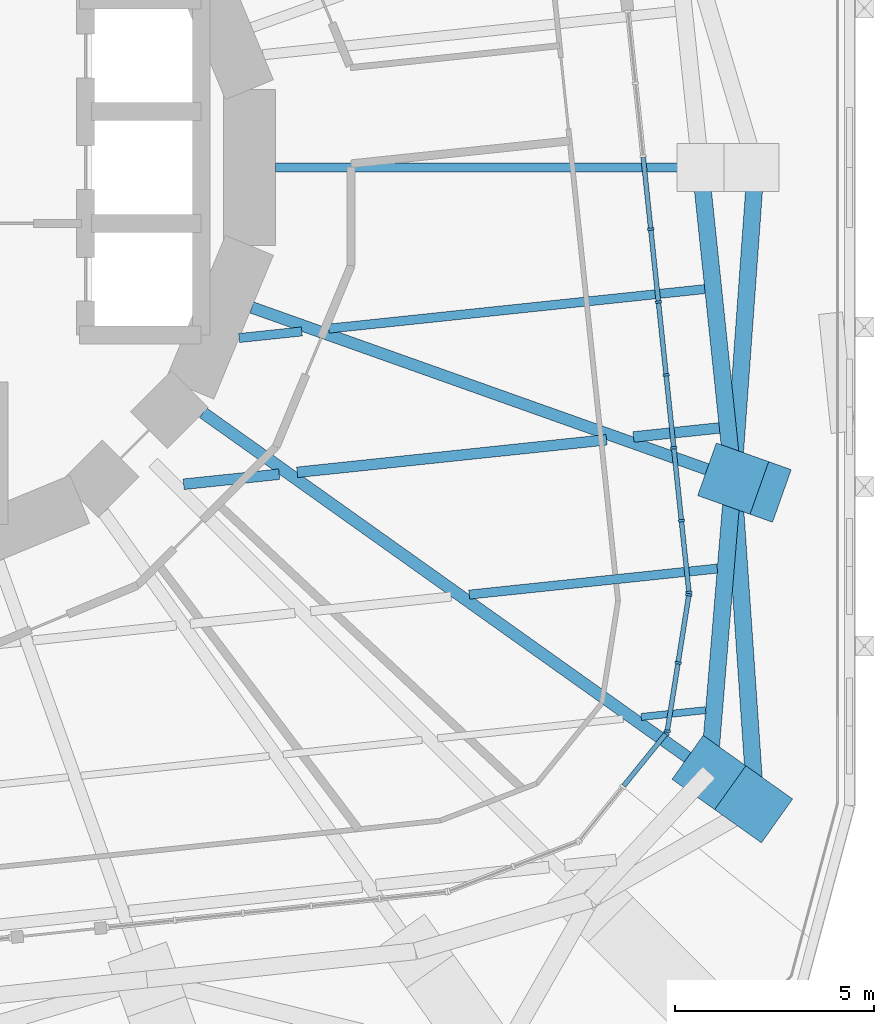
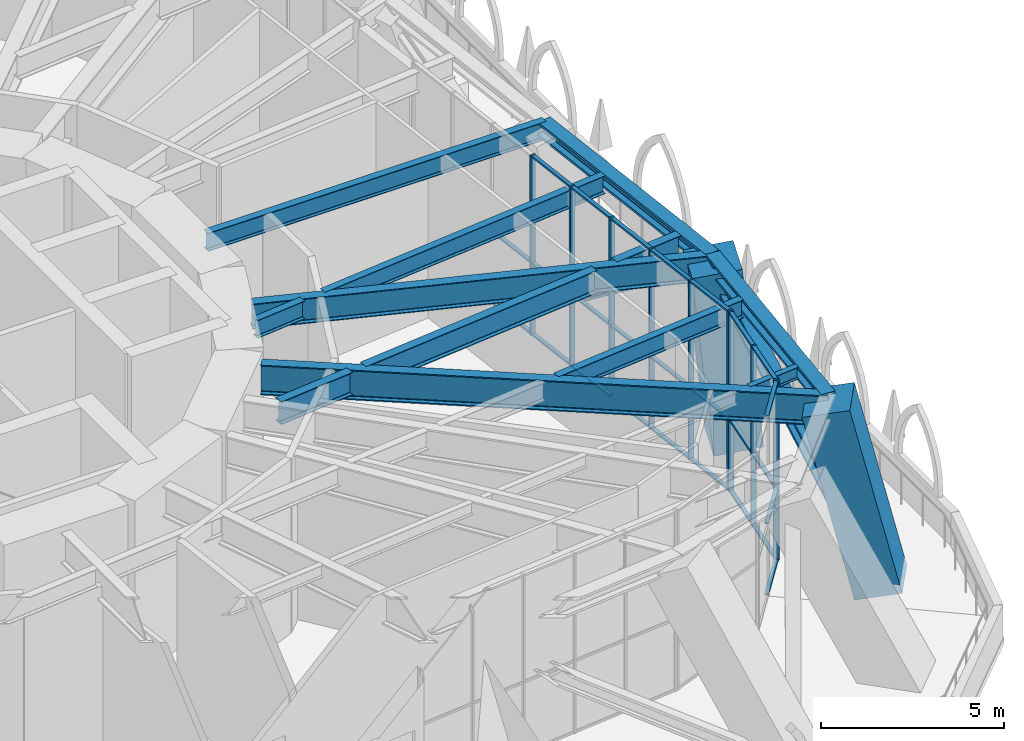
# One storey, part 6 of 20: 42 members, 10 beams, 3 elements without a shape of their own.
"""IFC4 building model written with IfcOpenShell, lengths in metres."""

from ifc_helpers import new_model, si_unit, direction, frame, origin, origin_2d, place, context, subcontext, project, spatial, rectangle, i_section, extrude, material, material_profile, profile_set, type_object, element, aggregate, save


model = new_model("IFC4")

# Units and contexts
model_context = context("Model", 3, precision=1e-05, world=origin(), true_north=direction((0.0, 1.0)))
body_context = subcontext(model_context, "Body", "Model", "MODEL_VIEW")
ifc_project = project(units=[si_unit("LENGTHUNIT", "METRE"), si_unit("AREAUNIT", "SQUARE_METRE"), si_unit("VOLUMEUNIT", "CUBIC_METRE"), si_unit("PLANEANGLEUNIT", "RADIAN"), si_unit("MASSUNIT", "GRAM", prefix="KILO")], contexts=[model_context])

# Site, building, storey
site_placement = place(None, origin())
site = spatial("IfcSite", under=ifc_project, at=site_placement, CompositionType="ELEMENT")
building_placement = place(site_placement, origin())
building = spatial("IfcBuilding", under=site, at=building_placement, Name="Nakasero Lantern House", CompositionType="ELEMENT")
storey_placement = place(building_placement, frame((0.0, 0.0, 54.5)))
storey = spatial("IfcBuildingStorey", under=building, at=storey_placement, Name="L13", CompositionType="ELEMENT", Elevation=54.5)

# Members
ifc_material_1 = material(Name="Steel S355", Category="steel")
ifc_material_profile_1 = material_profile(ifc_material_1, i_section(OverallWidth=0.424072265625, OverallDepth=0.474609375, WebThickness=0.047607421875, FlangeThickness=0.076904296875, FilletRadius=0.01513671875, at=origin_2d()), Name="UC 356x406x634")
ifc_profile_set_1 = profile_set([ifc_material_profile_1], Name="Steel S355")
member_type_1 = type_object("IfcMemberType", Name="Belt truss chord UC 356x406x634", PredefinedType="CHORD", material=ifc_profile_set_1)
member_1_placement = place(storey_placement, frame((21.327880859375, -15.16650390625, 5.562744140625), z_axis=(0.08217080574, 0.996618261264, 0.0), x_axis=(-0.996618261264, 0.08217080574, 0.0)))
element("IfcMember", 1, at=member_1_placement, inside=storey, type_object=member_type_1, Name="Belt truss top chord T1 B2-C01T", PredefinedType="CHORD", context=body_context, shape_type="SweptSolid", body=[
    extrude(i_section(OverallWidth=0.424072265625, OverallDepth=0.474609375, WebThickness=0.047607421875, FlangeThickness=0.076904296875, FilletRadius=0.01513671875, at=origin_2d()), origin(), (0.0, 0.0, 1.0), 7.39208984375),
])
member_2_placement = place(storey_placement, frame((21.935302734375, -7.79931640625, 5.562744140625), z_axis=(-0.104508144098, 0.994524030789, 0.0), x_axis=(-0.994524030789, -0.104508144098, 0.0)))
element("IfcMember", 2, at=member_2_placement, inside=storey, type_object=member_type_1, Name="Belt truss top chord T1 B2-C02T", PredefinedType="CHORD", context=body_context, shape_type="SweptSolid", body=[
    extrude(i_section(OverallWidth=0.424072265625, OverallDepth=0.474609375, WebThickness=0.047607421875, FlangeThickness=0.076904296875, FilletRadius=0.01513671875, at=origin_2d()), origin(), (0.0, 0.0, 1.0), 7.84228515625),
])
ifc_material_2 = material(Name="Steel S355", Category="steel")
ifc_material_profile_2 = material_profile(ifc_material_2, i_section(OverallWidth=0.424072265625, OverallDepth=0.474609375, WebThickness=0.047607421875, FlangeThickness=0.076904296875, FilletRadius=0.01513671875, at=origin_2d()), Name="UC 356x406x634")
ifc_profile_set_2 = profile_set([ifc_material_profile_2], Name="Steel S355")
member_type_2 = type_object("IfcMemberType", Name="Belt truss diagonal UC 356x406x634", PredefinedType="BRACE", material=ifc_profile_set_2)
member_3_placement = place(storey_placement, frame((22.5, -16.0, -0.437255859375), z_axis=(-0.055487926827, 0.805810402985, 0.589568218629), x_axis=(-0.997637563478, -0.068697102838, 0.0)))
element("IfcMember", 3, at=member_3_placement, inside=storey, type_object=member_type_2, Name="Belt truss diagonal T1-01", PredefinedType="BRACE", context=body_context, shape_type="SweptSolid", body=[
    extrude(i_section(OverallWidth=0.424072265625, OverallDepth=0.474609375, WebThickness=0.047607421875, FlangeThickness=0.076904296875, FilletRadius=0.01513671875, at=origin_2d()), origin(), (0.0, 0.0, 1.0), 10.177001953125),
])
member_4_placement = place(storey_placement, frame((21.935302734375, -7.79931640625, 5.562744140625), z_axis=(0.057292564495, 0.791296266905, -0.608742786435), x_axis=(-0.997389132262, 0.072214395008, 0.0)))
element("IfcMember", 4, at=member_4_placement, inside=storey, type_object=member_type_2, Name="Belt truss diagonal T1-02", PredefinedType="BRACE", context=body_context, shape_type="SweptSolid", body=[
    extrude(i_section(OverallWidth=0.424072265625, OverallDepth=0.474609375, WebThickness=0.047607421875, FlangeThickness=0.076904296875, FilletRadius=0.01513671875, at=origin_2d()), origin(), (0.0, 0.0, 1.0), 9.8564453125),
])

# Beams
ifc_material_3 = material(Name="Steel S355", Category="steel")
ifc_material_profile_3 = material_profile(ifc_material_3, i_section(OverallWidth=0.177978515625, OverallDepth=0.406494140625, WebThickness=0.0078125, FlangeThickness=0.0126953125, FilletRadius=0.01025390625, at=origin_2d()), Name="UB 406x178x60")
ifc_profile_set_3 = profile_set([ifc_material_profile_3], Name="Steel S355")
beam_type_1 = type_object("IfcBeamType", Name="Infill beam UB 406x178x60", PredefinedType="JOIST", material=ifc_profile_set_3)
beam_1_placement = place(storey_placement, frame((19.628173828125, -13.773681640625, 5.5966796875), z_axis=(0.994530949802, 0.104442280162, 0.0), x_axis=(-0.104442280162, 0.994530949802, 0.0)))
element("IfcBeam", 5, at=beam_1_placement, inside=storey, type_object=beam_type_1, Name="Infill beam L14 03.7", PredefinedType="JOIST", context=body_context, shape_type="SweptSolid", body=[
    extrude(i_section(OverallWidth=0.177978515625, OverallDepth=0.406494140625, WebThickness=0.0078125, FlangeThickness=0.0126953125, FilletRadius=0.01025390625, at=origin_2d()), origin(), (0.0, 0.0, 1.0), 1.62451171875),
])
ifc_material_4 = material(Name="Steel S355", Category="steel")
ifc_material_profile_4 = material_profile(ifc_material_4, i_section(OverallWidth=0.2275390625, OverallDepth=0.6025390625, WebThickness=0.010498046875, FlangeThickness=0.014892578125, FilletRadius=0.0126953125, at=origin_2d()), Name="UB 610x229x101")
ifc_profile_set_4 = profile_set([ifc_material_profile_4], Name="Steel S355")
beam_type_2 = type_object("IfcBeamType", Name="Infill beam UB 610x229x101", PredefinedType="JOIST", material=ifc_profile_set_4)
beam_2_placement = place(storey_placement, frame((9.548583984375, -4.275390625, 5.498779296875), z_axis=(0.99451559139, 0.104588424223, 0.0), x_axis=(-0.104588424223, 0.99451559139, 0.0)))
element("IfcBeam", 6, at=beam_2_placement, inside=storey, type_object=beam_type_2, Name="Infill beam L14 06.1", PredefinedType="JOIST", context=body_context, shape_type="SweptSolid", body=[
    extrude(i_section(OverallWidth=0.2275390625, OverallDepth=0.6025390625, WebThickness=0.010498046875, FlangeThickness=0.014892578125, FilletRadius=0.0126953125, at=origin_2d()), origin(), (0.0, 0.0, 1.0), 1.582763671875),
])
beam_3_placement = place(storey_placement, frame((11.79638671875, -4.0390625, 5.498779296875), z_axis=(0.994522376337, 0.104523887057, 0.0), x_axis=(-0.104523887057, 0.994522376337, 0.0)))
element("IfcBeam", 7, at=beam_3_placement, inside=storey, type_object=beam_type_2, Name="Infill beam L14 06.2", PredefinedType="JOIST", context=body_context, shape_type="SweptSolid", body=[
    extrude(i_section(OverallWidth=0.2275390625, OverallDepth=0.6025390625, WebThickness=0.010498046875, FlangeThickness=0.014892578125, FilletRadius=0.0126953125, at=origin_2d()), origin(), (0.0, 0.0, 1.0), 9.478515625),
])
ifc_material_5 = material(Name="Steel S355", Category="steel")
ifc_material_profile_5 = material_profile(ifc_material_5, i_section(OverallWidth=0.22900390625, OverallDepth=0.6123046875, WebThickness=0.011962890625, FlangeThickness=0.01953125, FilletRadius=0.0126953125, at=origin_2d()), Name="UB 610x229x125")
ifc_profile_set_5 = profile_set([ifc_material_profile_5], Name="Steel S355")
beam_type_3 = type_object("IfcBeamType", Name="Infill beam UB 610x229x125", PredefinedType="JOIST", material=ifc_profile_set_5)
beam_4_placement = place(storey_placement, frame((15.31640625, -10.707763671875, 5.493896484375), z_axis=(0.994521269247, 0.104534420247, 0.0), x_axis=(-0.104534420247, 0.994521269247, 0.0)))
element("IfcBeam", 8, at=beam_4_placement, inside=storey, type_object=beam_type_3, Name="Infill beam L14 04.8", PredefinedType="JOIST", context=body_context, shape_type="SweptSolid", body=[
    extrude(i_section(OverallWidth=0.22900390625, OverallDepth=0.6123046875, WebThickness=0.011962890625, FlangeThickness=0.01953125, FilletRadius=0.0126953125, at=origin_2d()), origin(), (0.0, 0.0, 1.0), 6.25439453125),
])
ifc_material_6 = material(Name="Steel S355", Category="steel")
ifc_material_profile_6 = material_profile(ifc_material_6, i_section(OverallWidth=0.2666015625, OverallDepth=0.76220703125, WebThickness=0.014404296875, FlangeThickness=0.021484375, FilletRadius=0.0166015625, at=origin_2d()), Name="UB 762x267x173")
ifc_profile_set_6 = profile_set([ifc_material_profile_6], Name="Steel S355")
beam_type_4 = type_object("IfcBeamType", Name="Infill beam UB 762x267x173", PredefinedType="JOIST", material=ifc_profile_set_6)
beam_5_placement = place(storey_placement, frame((8.158935546875, -7.940673828125, 5.4189453125), z_axis=(0.994521552221, 0.10453172804, 0.0), x_axis=(-0.10453172804, 0.994521552221, 0.0)))
element("IfcBeam", 9, at=beam_5_placement, inside=storey, type_object=beam_type_4, Name="Infill beam L14 05.5", PredefinedType="JOIST", context=body_context, shape_type="SweptSolid", body=[
    extrude(i_section(OverallWidth=0.2666015625, OverallDepth=0.76220703125, WebThickness=0.014404296875, FlangeThickness=0.021484375, FilletRadius=0.0166015625, at=origin_2d()), origin(), (0.0, 0.0, 1.0), 2.407958984375),
])
beam_6_placement = place(storey_placement, frame((11.0048828125, -7.6416015625, 5.4189453125), z_axis=(0.994520535103, 0.104541404521, 0.0), x_axis=(-0.104541404521, 0.994520535103, 0.0)))
element("IfcBeam", 10, at=beam_6_placement, inside=storey, type_object=beam_type_4, Name="Infill beam L14 05.6", PredefinedType="JOIST", context=body_context, shape_type="SweptSolid", body=[
    extrude(i_section(OverallWidth=0.2666015625, OverallDepth=0.76220703125, WebThickness=0.014404296875, FlangeThickness=0.021484375, FilletRadius=0.0166015625, at=origin_2d()), origin(), (0.0, 0.0, 1.0), 7.800048828125),
])
beam_7_placement = place(storey_placement, frame((19.43603515625, -6.75537109375, 5.4189453125), z_axis=(0.994518424492, 0.104561481173, 0.0), x_axis=(-0.104561481173, 0.994518424492, 0.0)))
element("IfcBeam", 11, at=beam_7_placement, inside=storey, type_object=beam_type_4, Name="Infill beam L14 05.7", PredefinedType="JOIST", context=body_context, shape_type="SweptSolid", body=[
    extrude(i_section(OverallWidth=0.2666015625, OverallDepth=0.76220703125, WebThickness=0.014404296875, FlangeThickness=0.021484375, FilletRadius=0.0166015625, at=origin_2d()), origin(), (0.0, 0.0, 1.0), 2.16455078125),
])

# Curtain wall, members
ifc_material_7 = material(Name="Aluminium 6063-T6 and glass", Category="aluminium")
curtain_wall_type = type_object("IfcCurtainWallType", Name="Sky lounge glazing CW-3", PredefinedType="USERDEFINED", material=ifc_material_7)
curtain_wall_1_placement = place(storey_placement, origin())
curtain_wall_1 = element("IfcCurtainWall", 12, at=curtain_wall_1_placement, inside=storey, type_object=curtain_wall_type, Name="Curtain wall CW-3 L13", ObjectType="STICK CURTAIN WALL", PredefinedType="USERDEFINED")
ifc_material_8 = material(Name="Aluminium 6063-T6", Category="aluminium")
ifc_material_profile_7 = material_profile(ifc_material_8, rectangle(XDim=0.06005859375, YDim=0.159912109375, at=origin_2d()), Name="CW-3 mullion 60x160")
ifc_profile_set_7 = profile_set([ifc_material_profile_7], Name="Aluminium 6063-T6")
member_type_3 = type_object("IfcMemberType", Name="Mullion CW-3", PredefinedType="MULLION", material=ifc_profile_set_7)
member_5_placement = place(storey_placement, frame((20.826416015625, -10.6513671875, 0.0), z_axis=(0.0, 0.0, 1.0), x_axis=(-0.104528463268, 0.994521895368, 0.0)))
member_5 = element("IfcMember", 13, at=member_5_placement, type_object=member_type_3, Name="CW-3 mullion 1", PredefinedType="MULLION", context=body_context, shape_type="SweptSolid", body=[
    extrude(rectangle(XDim=0.06005859375, YDim=0.159912109375, at=origin_2d()), origin(), (0.0, 0.0, 1.0), 6.0),
])
member_6_placement = place(storey_placement, frame((20.637451171875, -8.853759765625, 0.0), z_axis=(0.0, 0.0, 1.0), x_axis=(-0.104528463268, 0.994521895368, 0.0)))
member_6 = element("IfcMember", 14, at=member_6_placement, type_object=member_type_3, Name="CW-3 mullion 2", PredefinedType="MULLION", context=body_context, shape_type="SweptSolid", body=[
    extrude(rectangle(XDim=0.06005859375, YDim=0.159912109375, at=origin_2d()), origin(), (0.0, 0.0, 1.0), 6.0),
])
member_7_placement = place(storey_placement, frame((20.445556640625, -7.0263671875, 0.0), z_axis=(0.0, 0.0, 1.0), x_axis=(-0.104528463268, 0.994521895368, 0.0)))
member_7 = element("IfcMember", 15, at=member_7_placement, type_object=member_type_3, Name="CW-3 mullion 3", PredefinedType="MULLION", context=body_context, shape_type="SweptSolid", body=[
    extrude(rectangle(XDim=0.06005859375, YDim=0.159912109375, at=origin_2d()), origin(), (0.0, 0.0, 1.0), 6.0),
])
member_8_placement = place(storey_placement, frame((20.25341796875, -5.198974609375, 0.0), z_axis=(0.0, 0.0, 1.0), x_axis=(-0.104528463268, 0.994521895368, 0.0)))
member_8 = element("IfcMember", 16, at=member_8_placement, type_object=member_type_3, Name="CW-3 mullion 4", PredefinedType="MULLION", context=body_context, shape_type="SweptSolid", body=[
    extrude(rectangle(XDim=0.06005859375, YDim=0.159912109375, at=origin_2d()), origin(), (0.0, 0.0, 1.0), 6.0),
])
member_9_placement = place(storey_placement, frame((20.061279296875, -3.37158203125, 0.0), z_axis=(0.0, 0.0, 1.0), x_axis=(-0.104528463268, 0.994521895368, 0.0)))
member_9 = element("IfcMember", 17, at=member_9_placement, type_object=member_type_3, Name="CW-3 mullion 5", PredefinedType="MULLION", context=body_context, shape_type="SweptSolid", body=[
    extrude(rectangle(XDim=0.06005859375, YDim=0.159912109375, at=origin_2d()), origin(), (0.0, 0.0, 1.0), 6.0),
])
member_10_placement = place(storey_placement, frame((19.869140625, -1.5439453125, 0.0), z_axis=(0.0, 0.0, 1.0), x_axis=(-0.104528463268, 0.994521895368, 0.0)))
member_10 = element("IfcMember", 18, at=member_10_placement, type_object=member_type_3, Name="CW-3 mullion 6", PredefinedType="MULLION", context=body_context, shape_type="SweptSolid", body=[
    extrude(rectangle(XDim=0.06005859375, YDim=0.159912109375, at=origin_2d()), origin(), (0.0, 0.0, 1.0), 6.0),
])

# Curtain wall, member
curtain_wall_2_placement = place(storey_placement, origin())
curtain_wall_2 = element("IfcCurtainWall", 19, at=curtain_wall_2_placement, inside=storey, type_object=curtain_wall_type, Name="Curtain wall CW-3 L13", ObjectType="STICK CURTAIN WALL", PredefinedType="USERDEFINED")
member_11_placement = place(storey_placement, frame((20.26025390625, -14.1806640625, 0.0), z_axis=(0.0, 0.0, 1.0), x_axis=(0.62932039105, 0.777145961457, 0.0)))
member_11 = element("IfcMember", 20, at=member_11_placement, type_object=member_type_3, Name="CW-3 mullion 3", PredefinedType="MULLION", context=body_context, shape_type="SweptSolid", body=[
    extrude(rectangle(XDim=0.06005859375, YDim=0.159912109375, at=origin_2d()), origin(), (0.0, 0.0, 1.0), 6.0),
])

# Curtain wall, members
curtain_wall_3_placement = place(storey_placement, origin())
curtain_wall_3 = element("IfcCurtainWall", 21, at=curtain_wall_3_placement, inside=storey, type_object=curtain_wall_type, Name="Curtain wall CW-3 L13", ObjectType="STICK CURTAIN WALL", PredefinedType="USERDEFINED")
member_12_placement = place(storey_placement, frame((20.28369140625, -14.127685546875, 0.0), z_axis=(0.0, 0.0, 1.0), x_axis=(0.15643446504, 0.987688340595, 0.0)))
member_12 = element("IfcMember", 22, at=member_12_placement, type_object=member_type_3, Name="CW-3 mullion 1", PredefinedType="MULLION", context=body_context, shape_type="SweptSolid", body=[
    extrude(rectangle(XDim=0.06005859375, YDim=0.159912109375, at=origin_2d()), origin(), (0.0, 0.0, 1.0), 6.0),
])
member_13_placement = place(storey_placement, frame((20.55419921875, -12.419189453125, 0.0), z_axis=(0.0, 0.0, 1.0), x_axis=(0.15643446504, 0.987688340595, 0.0)))
member_13 = element("IfcMember", 23, at=member_13_placement, type_object=member_type_3, Name="CW-3 mullion 2", PredefinedType="MULLION", context=body_context, shape_type="SweptSolid", body=[
    extrude(rectangle(XDim=0.06005859375, YDim=0.159912109375, at=origin_2d()), origin(), (0.0, 0.0, 1.0), 6.0),
])
member_14_placement = place(storey_placement, frame((20.824951171875, -10.7109375, 0.0), z_axis=(0.0, 0.0, 1.0), x_axis=(0.15643446504, 0.987688340595, 0.0)))
member_14 = element("IfcMember", 24, at=member_14_placement, type_object=member_type_3, Name="CW-3 mullion 3", PredefinedType="MULLION", context=body_context, shape_type="SweptSolid", body=[
    extrude(rectangle(XDim=0.06005859375, YDim=0.159912109375, at=origin_2d()), origin(), (0.0, 0.0, 1.0), 6.0),
])

# Beams
ifc_material_9 = material(Name="Steel S355", Category="steel")
ifc_material_profile_8 = material_profile(ifc_material_9, i_section(OverallWidth=0.300048828125, OverallDepth=1.0, WebThickness=0.01904296875, FlangeThickness=0.035888671875, FilletRadius=0.030029296875, at=origin_2d()), Name="UB 1016x305x314")
ifc_profile_set_8 = profile_set([ifc_material_profile_8], Name="Steel S355")
beam_type_5 = type_object("IfcBeamType", Name="Primary beam UB 1016x305x314, span over 15 m", PredefinedType="BEAM", material=ifc_profile_set_8)
beam_8_placement = place(storey_placement, frame((21.327880859375, -15.16650390625, 5.300048828125), z_axis=(-0.814951538239, 0.57952911085, 0.0), x_axis=(-0.57952911085, -0.814951538239, 0.0)))
element("IfcBeam", 25, at=beam_8_placement, inside=storey, type_object=beam_type_5, Name="Primary beam L14 B2-C01T", PredefinedType="BEAM", context=body_context, shape_type="SweptSolid", body=[
    extrude(i_section(OverallWidth=0.300048828125, OverallDepth=1.0, WebThickness=0.01904296875, FlangeThickness=0.035888671875, FilletRadius=0.030029296875, at=origin_2d()), origin(), (0.0, 0.0, 1.0), 15.564697265625),
])
ifc_material_10 = material(Name="Steel S355", Category="steel")
ifc_material_profile_9 = material_profile(ifc_material_10, i_section(OverallWidth=0.22900390625, OverallDepth=0.6123046875, WebThickness=0.011962890625, FlangeThickness=0.01953125, FilletRadius=0.0126953125, at=origin_2d()), Name="UB 610x229x125")
ifc_profile_set_9 = profile_set([ifc_material_profile_9], Name="Steel S355")
beam_type_6 = type_object("IfcBeamType", Name="Primary beam UB 610x229x125, span 9 to 12 m", PredefinedType="BEAM", material=ifc_profile_set_9)
beam_9_placement = place(storey_placement, frame((21.11572265625, 0.0, 5.493896484375), z_axis=(-1.0, 0.0, 0.0), x_axis=(0.0, -1.0, 0.0)))
element("IfcBeam", 26, at=beam_9_placement, inside=storey, type_object=beam_type_6, Name="Primary beam L14 B2-C03T", PredefinedType="BEAM", context=body_context, shape_type="SweptSolid", body=[
    extrude(i_section(OverallWidth=0.22900390625, OverallDepth=0.6123046875, WebThickness=0.011962890625, FlangeThickness=0.01953125, FilletRadius=0.0126953125, at=origin_2d()), origin(), (0.0, 0.0, 1.0), 10.657958984375),
])
ifc_material_11 = material(Name="Steel S355", Category="steel")
ifc_material_profile_10 = material_profile(ifc_material_11, i_section(OverallWidth=0.29248046875, OverallDepth=0.8408203125, WebThickness=0.0146484375, FlangeThickness=0.02685546875, FilletRadius=0.017822265625, at=origin_2d()), Name="UB 838x292x194")
ifc_profile_set_10 = profile_set([ifc_material_profile_10], Name="Steel S355")
beam_type_7 = type_object("IfcBeamType", Name="Primary beam UB 838x292x194, span 12 to 15 m", PredefinedType="BEAM", material=ifc_profile_set_10)
beam_10_placement = place(storey_placement, frame((21.935302734375, -7.79931640625, 5.379638671875), z_axis=(-0.942211882636, 0.335017564047, 0.0), x_axis=(-0.335017564047, -0.942211882636, 0.0)))
element("IfcBeam", 27, at=beam_10_placement, inside=storey, type_object=beam_type_7, Name="Primary beam L14 B2-C02T", PredefinedType="BEAM", context=body_context, shape_type="SweptSolid", body=[
    extrude(i_section(OverallWidth=0.29248046875, OverallDepth=0.8408203125, WebThickness=0.0146484375, FlangeThickness=0.02685546875, FilletRadius=0.017822265625, at=origin_2d()), origin(), (0.0, 0.0, 1.0), 12.80908203125),
])

# Members
ifc_material_12 = material(Name="Concrete C50/60", Category="concrete")
ifc_material_profile_11 = material_profile(ifc_material_12, rectangle(XDim=1.35009765625, YDim=1.35009765625, at=origin_2d()), Name="RC 1350x1350")
ifc_profile_set_11 = profile_set([ifc_material_profile_11], Name="Concrete C50/60")
member_type_4 = type_object("IfcMemberType", Name="Raking column RC 1350x1350 C50/60", PredefinedType="STRUT", material=ifc_profile_set_11)
member_15_placement = place(storey_placement, frame((22.5, -16.0, -0.437255859375), z_axis=(-0.189971488181, 0.135089077411, 0.972451425441), x_axis=(-0.579518775757, -0.814958887641, 0.0)))
element("IfcMember", 28, at=member_15_placement, inside=storey, type_object=member_type_4, Name="Raking column B2-C01T L13", PredefinedType="STRUT", context=body_context, shape_type="SweptSolid", body=[
    extrude(rectangle(XDim=1.35009765625, YDim=1.35009765625, at=origin_2d()), origin(), (0.0, 0.0, 1.0), 6.169921875),
])
ifc_material_13 = material(Name="Concrete C50/60", Category="concrete")
ifc_material_profile_12 = material_profile(ifc_material_13, rectangle(XDim=1.39990234375, YDim=1.39990234375, at=origin_2d()), Name="RC 1400x1400")
ifc_profile_set_12 = profile_set([ifc_material_profile_12], Name="Concrete C50/60")
member_type_5 = type_object("IfcMemberType", Name="Raking column RC 1400x1400 C50/60", PredefinedType="STRUT", material=ifc_profile_set_12)
member_16_placement = place(storey_placement, frame((22.5, -8.0, -0.437255859375), z_axis=(-0.093650215843, 0.033281659067, 0.995048726567), x_axis=(-0.334865000637, -0.942266114932, 0.0)))
element("IfcMember", 29, at=member_16_placement, inside=storey, type_object=member_type_5, Name="Raking column B2-C02T L13", PredefinedType="STRUT", context=body_context, shape_type="SweptSolid", body=[
    extrude(rectangle(XDim=1.39990234375, YDim=1.39990234375, at=origin_2d()), origin(), (0.0, 0.0, 1.0), 6.02978515625),
])

# Member
ifc_material_14 = material(Name="Aluminium 6063-T6", Category="aluminium")
ifc_material_profile_13 = material_profile(ifc_material_14, rectangle(XDim=0.06005859375, YDim=0.1201171875, at=origin_2d()), Name="CW-3 transom 60x120")
ifc_profile_set_13 = profile_set([ifc_material_profile_13], Name="Aluminium 6063-T6")
member_type_6 = type_object("IfcMemberType", Name="Transom CW-3", PredefinedType="USERDEFINED", material=ifc_profile_set_13)
member_17_placement = place(storey_placement, frame((20.8232421875, -10.62158203125, 0.030029296875), z_axis=(-0.104495709004, 0.994525337435, 0.0), x_axis=(0.0, 0.0, 1.0)))
member_17 = element("IfcMember", 30, at=member_17_placement, type_object=member_type_6, Name="CW-3 transom 1.1", ObjectType="TRANSOM", PredefinedType="USERDEFINED", context=body_context, shape_type="SweptSolid", body=[
    extrude(rectangle(XDim=0.06005859375, YDim=0.1201171875, at=origin_2d()), origin(), (0.0, 0.0, 1.0), 1.74755859375),
])

member_18_placement = place(storey_placement, frame((20.8232421875, -10.62158203125, 2.39990234375), z_axis=(-0.104495709004, 0.994525337435, 0.0), x_axis=(0.0, 0.0, 1.0)))
member_18 = element("IfcMember", 31, at=member_18_placement, type_object=member_type_6, Name="CW-3 transom 1.2", ObjectType="TRANSOM", PredefinedType="USERDEFINED", context=body_context, shape_type="SweptSolid", body=[
    extrude(rectangle(XDim=0.06005859375, YDim=0.1201171875, at=origin_2d()), origin(), (0.0, 0.0, 1.0), 1.74755859375),
])

member_19_placement = place(storey_placement, frame((20.8232421875, -10.62158203125, 5.969970703125), z_axis=(-0.104495709004, 0.994525337435, 0.0), x_axis=(0.0, 0.0, 1.0)))
member_19 = element("IfcMember", 32, at=member_19_placement, type_object=member_type_6, Name="CW-3 transom 1.3", ObjectType="TRANSOM", PredefinedType="USERDEFINED", context=body_context, shape_type="SweptSolid", body=[
    extrude(rectangle(XDim=0.06005859375, YDim=0.1201171875, at=origin_2d()), origin(), (0.0, 0.0, 1.0), 1.74755859375),
])

member_20_placement = place(storey_placement, frame((20.63427734375, -8.823974609375, 0.030029296875), z_axis=(-0.104520344117, 0.994522748692, 0.0), x_axis=(0.0, 0.0, 1.0)))
member_20 = element("IfcMember", 33, at=member_20_placement, type_object=member_type_6, Name="CW-3 transom 2.1", ObjectType="TRANSOM", PredefinedType="USERDEFINED", context=body_context, shape_type="SweptSolid", body=[
    extrude(rectangle(XDim=0.06005859375, YDim=0.1201171875, at=origin_2d()), origin(), (0.0, 0.0, 1.0), 1.777587890625),
])

member_21_placement = place(storey_placement, frame((20.63427734375, -8.823974609375, 2.39990234375), z_axis=(-0.104520344117, 0.994522748692, 0.0), x_axis=(0.0, 0.0, 1.0)))
member_21 = element("IfcMember", 34, at=member_21_placement, type_object=member_type_6, Name="CW-3 transom 2.2", ObjectType="TRANSOM", PredefinedType="USERDEFINED", context=body_context, shape_type="SweptSolid", body=[
    extrude(rectangle(XDim=0.06005859375, YDim=0.1201171875, at=origin_2d()), origin(), (0.0, 0.0, 1.0), 1.777587890625),
])

member_22_placement = place(storey_placement, frame((20.63427734375, -8.823974609375, 5.969970703125), z_axis=(-0.104520344117, 0.994522748692, 0.0), x_axis=(0.0, 0.0, 1.0)))
member_22 = element("IfcMember", 35, at=member_22_placement, type_object=member_type_6, Name="CW-3 transom 2.3", ObjectType="TRANSOM", PredefinedType="USERDEFINED", context=body_context, shape_type="SweptSolid", body=[
    extrude(rectangle(XDim=0.06005859375, YDim=0.1201171875, at=origin_2d()), origin(), (0.0, 0.0, 1.0), 1.777587890625),
])

member_23_placement = place(storey_placement, frame((20.4423828125, -6.99658203125, 0.030029296875), z_axis=(-0.104520344117, 0.994522748692, 0.0), x_axis=(0.0, 0.0, 1.0)))
member_23 = element("IfcMember", 36, at=member_23_placement, type_object=member_type_6, Name="CW-3 transom 3.1", ObjectType="TRANSOM", PredefinedType="USERDEFINED", context=body_context, shape_type="SweptSolid", body=[
    extrude(rectangle(XDim=0.06005859375, YDim=0.1201171875, at=origin_2d()), origin(), (0.0, 0.0, 1.0), 1.777587890625),
])

member_24_placement = place(storey_placement, frame((20.4423828125, -6.99658203125, 2.39990234375), z_axis=(-0.104520344117, 0.994522748692, 0.0), x_axis=(0.0, 0.0, 1.0)))
member_24 = element("IfcMember", 37, at=member_24_placement, type_object=member_type_6, Name="CW-3 transom 3.2", ObjectType="TRANSOM", PredefinedType="USERDEFINED", context=body_context, shape_type="SweptSolid", body=[
    extrude(rectangle(XDim=0.06005859375, YDim=0.1201171875, at=origin_2d()), origin(), (0.0, 0.0, 1.0), 1.777587890625),
])

member_25_placement = place(storey_placement, frame((20.4423828125, -6.99658203125, 5.969970703125), z_axis=(-0.104520344117, 0.994522748692, 0.0), x_axis=(0.0, 0.0, 1.0)))
member_25 = element("IfcMember", 38, at=member_25_placement, type_object=member_type_6, Name="CW-3 transom 3.3", ObjectType="TRANSOM", PredefinedType="USERDEFINED", context=body_context, shape_type="SweptSolid", body=[
    extrude(rectangle(XDim=0.06005859375, YDim=0.1201171875, at=origin_2d()), origin(), (0.0, 0.0, 1.0), 1.777587890625),
])

member_26_placement = place(storey_placement, frame((20.250244140625, -5.169189453125, 0.030029296875), z_axis=(-0.104520344117, 0.994522748692, 0.0), x_axis=(0.0, 0.0, 1.0)))
member_26 = element("IfcMember", 39, at=member_26_placement, type_object=member_type_6, Name="CW-3 transom 4.1", ObjectType="TRANSOM", PredefinedType="USERDEFINED", context=body_context, shape_type="SweptSolid", body=[
    extrude(rectangle(XDim=0.06005859375, YDim=0.1201171875, at=origin_2d()), origin(), (0.0, 0.0, 1.0), 1.777587890625),
])

member_27_placement = place(storey_placement, frame((20.250244140625, -5.169189453125, 2.39990234375), z_axis=(-0.104520344117, 0.994522748692, 0.0), x_axis=(0.0, 0.0, 1.0)))
member_27 = element("IfcMember", 40, at=member_27_placement, type_object=member_type_6, Name="CW-3 transom 4.2", ObjectType="TRANSOM", PredefinedType="USERDEFINED", context=body_context, shape_type="SweptSolid", body=[
    extrude(rectangle(XDim=0.06005859375, YDim=0.1201171875, at=origin_2d()), origin(), (0.0, 0.0, 1.0), 1.777587890625),
])

member_28_placement = place(storey_placement, frame((20.250244140625, -5.169189453125, 5.969970703125), z_axis=(-0.104520344117, 0.994522748692, 0.0), x_axis=(0.0, 0.0, 1.0)))
member_28 = element("IfcMember", 41, at=member_28_placement, type_object=member_type_6, Name="CW-3 transom 4.3", ObjectType="TRANSOM", PredefinedType="USERDEFINED", context=body_context, shape_type="SweptSolid", body=[
    extrude(rectangle(XDim=0.06005859375, YDim=0.1201171875, at=origin_2d()), origin(), (0.0, 0.0, 1.0), 1.777587890625),
])

member_29_placement = place(storey_placement, frame((20.05810546875, -3.341552734375, 0.030029296875), z_axis=(-0.104534622885, 0.994521247947, 0.0), x_axis=(0.0, 0.0, 1.0)))
member_29 = element("IfcMember", 42, at=member_29_placement, type_object=member_type_6, Name="CW-3 transom 5.1", ObjectType="TRANSOM", PredefinedType="USERDEFINED", context=body_context, shape_type="SweptSolid", body=[
    extrude(rectangle(XDim=0.06005859375, YDim=0.1201171875, at=origin_2d()), origin(), (0.0, 0.0, 1.0), 1.77734375),
])

member_30_placement = place(storey_placement, frame((20.05810546875, -3.341552734375, 2.39990234375), z_axis=(-0.104534622885, 0.994521247947, 0.0), x_axis=(0.0, 0.0, 1.0)))
member_30 = element("IfcMember", 43, at=member_30_placement, type_object=member_type_6, Name="CW-3 transom 5.2", ObjectType="TRANSOM", PredefinedType="USERDEFINED", context=body_context, shape_type="SweptSolid", body=[
    extrude(rectangle(XDim=0.06005859375, YDim=0.1201171875, at=origin_2d()), origin(), (0.0, 0.0, 1.0), 1.77734375),
])

member_31_placement = place(storey_placement, frame((20.05810546875, -3.341552734375, 5.969970703125), z_axis=(-0.104534622885, 0.994521247947, 0.0), x_axis=(0.0, 0.0, 1.0)))
member_31 = element("IfcMember", 44, at=member_31_placement, type_object=member_type_6, Name="CW-3 transom 5.3", ObjectType="TRANSOM", PredefinedType="USERDEFINED", context=body_context, shape_type="SweptSolid", body=[
    extrude(rectangle(XDim=0.06005859375, YDim=0.1201171875, at=origin_2d()), origin(), (0.0, 0.0, 1.0), 1.77734375),
])

member_32_placement = place(storey_placement, frame((19.8662109375, -1.51416015625, 0.030029296875), z_axis=(-0.104520344117, 0.994522748692, 0.0), x_axis=(0.0, 0.0, 1.0)))
member_32 = element("IfcMember", 45, at=member_32_placement, type_object=member_type_6, Name="CW-3 transom 6.1", ObjectType="TRANSOM", PredefinedType="USERDEFINED", context=body_context, shape_type="SweptSolid", body=[
    extrude(rectangle(XDim=0.06005859375, YDim=0.1201171875, at=origin_2d()), origin(), (0.0, 0.0, 1.0), 1.777587890625),
])

member_33_placement = place(storey_placement, frame((19.8662109375, -1.51416015625, 2.39990234375), z_axis=(-0.104520344117, 0.994522748692, 0.0), x_axis=(0.0, 0.0, 1.0)))
member_33 = element("IfcMember", 46, at=member_33_placement, type_object=member_type_6, Name="CW-3 transom 6.2", ObjectType="TRANSOM", PredefinedType="USERDEFINED", context=body_context, shape_type="SweptSolid", body=[
    extrude(rectangle(XDim=0.06005859375, YDim=0.1201171875, at=origin_2d()), origin(), (0.0, 0.0, 1.0), 1.777587890625),
])

aggregate(curtain_wall_1, [member_5, member_6, member_7, member_8, member_9, member_10, member_17, member_18, member_19, member_20, member_21, member_22, member_23, member_24, member_25, member_26, member_27, member_28, member_29, member_30, member_31, member_32, member_33])

member_34_placement = place(storey_placement, frame((19.1904296875, -15.50146484375, 0.030029296875), z_axis=(0.629320202384, 0.777146114236, 0.0), x_axis=(0.0, 0.0, 1.0)))
member_34 = element("IfcMember", 47, at=member_34_placement, type_object=member_type_6, Name="CW-3 transom 2.1", ObjectType="TRANSOM", PredefinedType="USERDEFINED", context=body_context, shape_type="SweptSolid", body=[
    extrude(rectangle(XDim=0.06005859375, YDim=0.1201171875, at=origin_2d()), origin(), (0.0, 0.0, 1.0), 1.669677734375),
])

member_35_placement = place(storey_placement, frame((19.1904296875, -15.50146484375, 2.39990234375), z_axis=(0.629320202384, 0.777146114236, 0.0), x_axis=(0.0, 0.0, 1.0)))
member_35 = element("IfcMember", 48, at=member_35_placement, type_object=member_type_6, Name="CW-3 transom 2.2", ObjectType="TRANSOM", PredefinedType="USERDEFINED", context=body_context, shape_type="SweptSolid", body=[
    extrude(rectangle(XDim=0.06005859375, YDim=0.1201171875, at=origin_2d()), origin(), (0.0, 0.0, 1.0), 1.669677734375),
])

member_36_placement = place(storey_placement, frame((19.1904296875, -15.50146484375, 5.969970703125), z_axis=(0.629320202384, 0.777146114236, 0.0), x_axis=(0.0, 0.0, 1.0)))
member_36 = element("IfcMember", 49, at=member_36_placement, type_object=member_type_6, Name="CW-3 transom 2.3", ObjectType="TRANSOM", PredefinedType="USERDEFINED", context=body_context, shape_type="SweptSolid", body=[
    extrude(rectangle(XDim=0.06005859375, YDim=0.1201171875, at=origin_2d()), origin(), (0.0, 0.0, 1.0), 1.669677734375),
])

aggregate(curtain_wall_2, [member_11, member_34, member_35, member_36])

member_37_placement = place(storey_placement, frame((20.288330078125, -14.09814453125, 0.030029296875), z_axis=(0.156450598105, 0.987685785234, 0.0), x_axis=(0.0, 0.0, 1.0)))
member_37 = element("IfcMember", 50, at=member_37_placement, type_object=member_type_6, Name="CW-3 transom 1.1", ObjectType="TRANSOM", PredefinedType="USERDEFINED", context=body_context, shape_type="SweptSolid", body=[
    extrude(rectangle(XDim=0.06005859375, YDim=0.1201171875, at=origin_2d()), origin(), (0.0, 0.0, 1.0), 1.669677734375),
])

member_38_placement = place(storey_placement, frame((20.288330078125, -14.09814453125, 2.39990234375), z_axis=(0.156450598105, 0.987685785234, 0.0), x_axis=(0.0, 0.0, 1.0)))
member_38 = element("IfcMember", 51, at=member_38_placement, type_object=member_type_6, Name="CW-3 transom 1.2", ObjectType="TRANSOM", PredefinedType="USERDEFINED", context=body_context, shape_type="SweptSolid", body=[
    extrude(rectangle(XDim=0.06005859375, YDim=0.1201171875, at=origin_2d()), origin(), (0.0, 0.0, 1.0), 1.669677734375),
])

member_39_placement = place(storey_placement, frame((20.288330078125, -14.09814453125, 5.969970703125), z_axis=(0.156450598105, 0.987685785234, 0.0), x_axis=(0.0, 0.0, 1.0)))
member_39 = element("IfcMember", 52, at=member_39_placement, type_object=member_type_6, Name="CW-3 transom 1.3", ObjectType="TRANSOM", PredefinedType="USERDEFINED", context=body_context, shape_type="SweptSolid", body=[
    extrude(rectangle(XDim=0.06005859375, YDim=0.1201171875, at=origin_2d()), origin(), (0.0, 0.0, 1.0), 1.669677734375),
])

member_40_placement = place(storey_placement, frame((20.55908203125, -12.3896484375, 0.030029296875), z_axis=(0.156450598105, 0.987685785234, 0.0), x_axis=(0.0, 0.0, 1.0)))
member_40 = element("IfcMember", 53, at=member_40_placement, type_object=member_type_6, Name="CW-3 transom 2.1", ObjectType="TRANSOM", PredefinedType="USERDEFINED", context=body_context, shape_type="SweptSolid", body=[
    extrude(rectangle(XDim=0.06005859375, YDim=0.1201171875, at=origin_2d()), origin(), (0.0, 0.0, 1.0), 1.669677734375),
])

member_41_placement = place(storey_placement, frame((20.55908203125, -12.3896484375, 2.39990234375), z_axis=(0.156450598105, 0.987685785234, 0.0), x_axis=(0.0, 0.0, 1.0)))
member_41 = element("IfcMember", 54, at=member_41_placement, type_object=member_type_6, Name="CW-3 transom 2.2", ObjectType="TRANSOM", PredefinedType="USERDEFINED", context=body_context, shape_type="SweptSolid", body=[
    extrude(rectangle(XDim=0.06005859375, YDim=0.1201171875, at=origin_2d()), origin(), (0.0, 0.0, 1.0), 1.669677734375),
])

member_42_placement = place(storey_placement, frame((20.55908203125, -12.3896484375, 5.969970703125), z_axis=(0.156450598105, 0.987685785234, 0.0), x_axis=(0.0, 0.0, 1.0)))
member_42 = element("IfcMember", 55, at=member_42_placement, type_object=member_type_6, Name="CW-3 transom 2.3", ObjectType="TRANSOM", PredefinedType="USERDEFINED", context=body_context, shape_type="SweptSolid", body=[
    extrude(rectangle(XDim=0.06005859375, YDim=0.1201171875, at=origin_2d()), origin(), (0.0, 0.0, 1.0), 1.669677734375),
])

aggregate(curtain_wall_3, [member_12, member_13, member_14, member_37, member_38, member_39, member_40, member_41, member_42])

save(model, "model.ifc")
